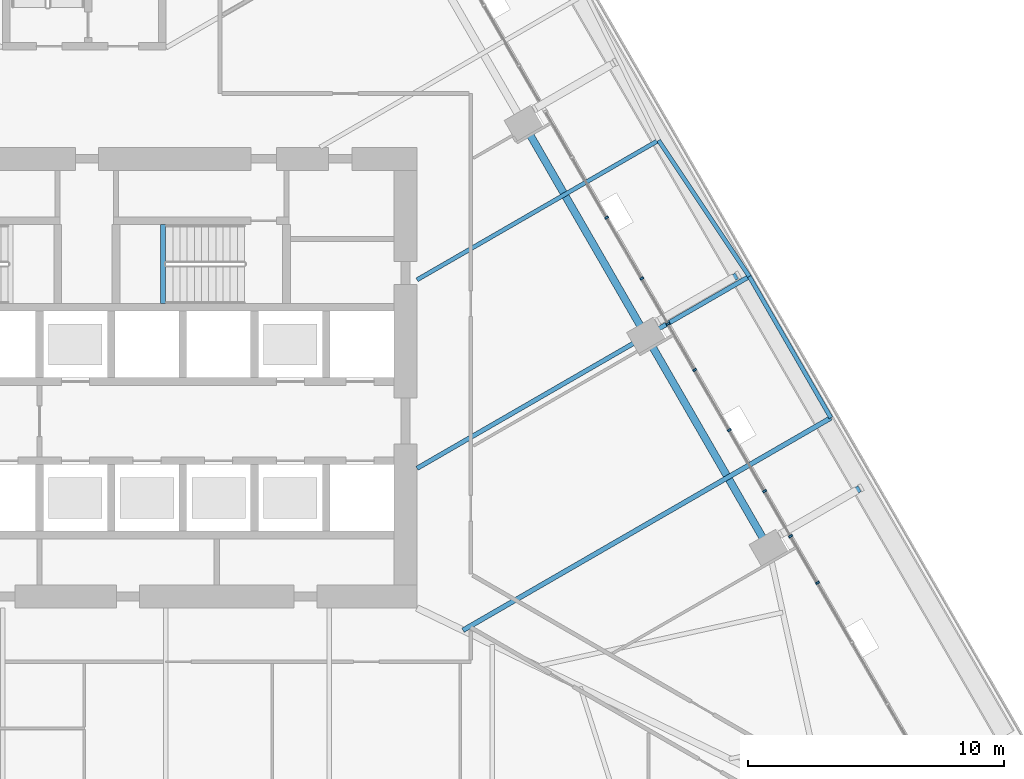
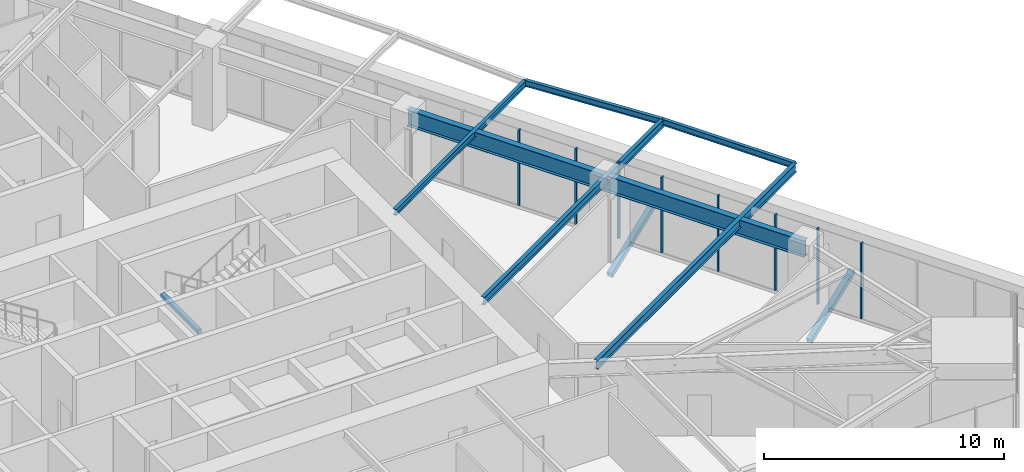
# One storey, part 5 of 29: 10 members, 7 beams, 1 element without a shape of its own.
"""IFC4 building model written with IfcOpenShell, lengths in metres."""

from ifc_helpers import new_model, si_unit, direction, frame, origin, origin_2d, place, context, subcontext, project, spatial, rectangle, hollow_rectangle, i_section, extrude, material, layer, layer_set, material_profile, profile_set, type_object, element, aggregate, save


model = new_model("IFC4")

# Units and contexts
model_context = context("Model", 3, precision=1e-05, world=origin(), true_north=direction((0.0, 1.0)))
body_context = subcontext(model_context, "Body", "Model", "MODEL_VIEW")
ifc_project = project(units=[si_unit("LENGTHUNIT", "METRE"), si_unit("AREAUNIT", "SQUARE_METRE"), si_unit("VOLUMEUNIT", "CUBIC_METRE"), si_unit("PLANEANGLEUNIT", "RADIAN"), si_unit("MASSUNIT", "GRAM", prefix="KILO")], contexts=[model_context])

# Site, building, storey
site_placement = place(None, origin())
site = spatial("IfcSite", under=ifc_project, at=site_placement, CompositionType="ELEMENT")
building_placement = place(site_placement, origin())
building = spatial("IfcBuilding", under=site, at=building_placement, Name="Firuza Gate Tower and Library", CompositionType="ELEMENT")
storey_placement = place(building_placement, frame((0.0, 0.0, 48.39990234375)))
storey = spatial("IfcBuildingStorey", under=building, at=storey_placement, Name="L10", CompositionType="ELEMENT", Elevation=48.39990234375)

# Curtain wall, members
ifc_material_1 = material(Name="Aluminium 6063-T6", Category="aluminium")
ifc_layer = layer(ifc_material_1, 0.14990234375)
ifc_layer_set = layer_set([ifc_layer], Name="Unitised curtain wall, offices")
curtain_wall_type = type_object("IfcCurtainWallType", Name="Unitised curtain wall, offices", PredefinedType="NOTDEFINED", material=ifc_layer_set)
curtain_wall_placement = place(storey_placement, origin())
curtain_wall = element("IfcCurtainWall", 1, at=curtain_wall_placement, inside=storey, type_object=curtain_wall_type, Name="CW1 L10 E face", PredefinedType="NOTDEFINED")
ifc_material_2 = material(Name="Aluminium 6063-T6", Category="aluminium")
ifc_material_profile_1 = material_profile(ifc_material_2, rectangle(XDim=0.14990234375, YDim=0.080078125, at=origin_2d()))
ifc_profile_set_1 = profile_set([ifc_material_profile_1], Name="Aluminium 6063-T6")
member_type_1 = type_object("IfcMemberType", Name="Curtain wall mullion 80x150", PredefinedType="MULLION", material=ifc_profile_set_1)
member_1_placement = place(storey_placement, frame((102.597412109375, 68.805419921875, 0.150146484375), z_axis=(0.0, 0.0, 1.0), x_axis=(-0.866025403784, -0.5, 0.0)))
member_1 = element("IfcMember", 2, at=member_1_placement, type_object=member_type_1, Name="Mullion", PredefinedType="MULLION", context=body_context, shape_type="SweptSolid", body=[
    extrude(rectangle(XDim=0.14990234375, YDim=0.080078125, at=origin_2d()), origin(), (0.0, 0.0, 1.0), 3.849853515625),
])
member_2_placement = place(storey_placement, frame((100.2021484375, 72.95458984375, 0.150146484375), z_axis=(0.0, 0.0, 1.0), x_axis=(-0.866025403784, -0.5, 0.0)))
member_2 = element("IfcMember", 3, at=member_2_placement, type_object=member_type_1, Name="Mullion", PredefinedType="MULLION", context=body_context, shape_type="SweptSolid", body=[
    extrude(rectangle(XDim=0.14990234375, YDim=0.080078125, at=origin_2d()), origin(), (0.0, 0.0, 1.0), 3.849853515625),
])
member_3_placement = place(storey_placement, frame((97.806640625, 77.103515625, 0.150146484375), z_axis=(0.0, 0.0, 1.0), x_axis=(-0.866025403784, -0.5, 0.0)))
member_3 = element("IfcMember", 4, at=member_3_placement, type_object=member_type_1, Name="Mullion", PredefinedType="MULLION", context=body_context, shape_type="SweptSolid", body=[
    extrude(rectangle(XDim=0.14990234375, YDim=0.080078125, at=origin_2d()), origin(), (0.0, 0.0, 1.0), 3.849853515625),
])
member_4_placement = place(storey_placement, frame((95.4111328125, 81.25244140625, 0.150146484375), z_axis=(0.0, 0.0, 1.0), x_axis=(-0.866025403784, -0.5, 0.0)))
member_4 = element("IfcMember", 5, at=member_4_placement, type_object=member_type_1, Name="Mullion", PredefinedType="MULLION", context=body_context, shape_type="SweptSolid", body=[
    extrude(rectangle(XDim=0.14990234375, YDim=0.080078125, at=origin_2d()), origin(), (0.0, 0.0, 1.0), 3.849853515625),
])
member_5_placement = place(storey_placement, frame((103.64892578125, 66.984375, 0.150146484375), z_axis=(0.0, 0.0, 1.0), x_axis=(-0.866025403784, -0.5, 0.0)))
member_5 = element("IfcMember", 6, at=member_5_placement, type_object=member_type_1, Name="Mullion", PredefinedType="MULLION", context=body_context, shape_type="SweptSolid", body=[
    extrude(rectangle(XDim=0.14990234375, YDim=0.080078125, at=origin_2d()), origin(), (0.0, 0.0, 1.0), 3.849853515625),
])
member_6_placement = place(storey_placement, frame((101.582763671875, 70.56298828125, 0.150146484375), z_axis=(0.0, 0.0, 1.0), x_axis=(-0.866025403784, -0.5, 0.0)))
member_6 = element("IfcMember", 7, at=member_6_placement, type_object=member_type_1, Name="Mullion", PredefinedType="MULLION", context=body_context, shape_type="SweptSolid", body=[
    extrude(rectangle(XDim=0.14990234375, YDim=0.080078125, at=origin_2d()), origin(), (0.0, 0.0, 1.0), 3.849853515625),
])
member_7_placement = place(storey_placement, frame((98.848876953125, 75.29833984375, 0.150146484375), z_axis=(0.0, 0.0, 1.0), x_axis=(-0.866025403784, -0.5, 0.0)))
member_7 = element("IfcMember", 8, at=member_7_placement, type_object=member_type_1, Name="Mullion", PredefinedType="MULLION", context=body_context, shape_type="SweptSolid", body=[
    extrude(rectangle(XDim=0.14990234375, YDim=0.080078125, at=origin_2d()), origin(), (0.0, 0.0, 1.0), 3.849853515625),
])
member_8_placement = place(storey_placement, frame((96.78271484375, 78.876953125, 0.150146484375), z_axis=(0.0, 0.0, 1.0), x_axis=(-0.866025403784, -0.5, 0.0)))
member_8 = element("IfcMember", 9, at=member_8_placement, type_object=member_type_1, Name="Mullion", PredefinedType="MULLION", context=body_context, shape_type="SweptSolid", body=[
    extrude(rectangle(XDim=0.14990234375, YDim=0.080078125, at=origin_2d()), origin(), (0.0, 0.0, 1.0), 3.849853515625),
])
aggregate(curtain_wall, [member_1, member_2, member_3, member_4, member_5, member_6, member_7, member_8])

# Members
ifc_material_3 = material(Name="Steel S355", Category="steel")
ifc_material_profile_2 = material_profile(ifc_material_3, hollow_rectangle(XDim=0.25390625, YDim=0.25390625, WallThickness=0.01171875, at=origin_2d()))
ifc_profile_set_2 = profile_set([ifc_material_profile_2], Name="Steel S355")
member_type_2 = type_object("IfcMemberType", Name="HSS254x254x13 Tray strut", PredefinedType="BRACE", material=ifc_profile_set_2)
for number, where, z_axis, x_axis, name in (
    (10, (102.220458984375, 68.891845703125, -1.669921875), (0.807140949077, 0.466018027999, 0.362423351763), (-0.500012057535, 0.866018442252, 0.0), "Tray strut L10 col:L09:E1"),
    (11, (97.42041015625, 77.205810546875, -1.669921875), (0.807140949077, 0.466018027999, 0.362423351763), (-0.500012057535, 0.866018442252, 0.0), "Tray strut L10 col:L09:E2"),
):
    element("IfcMember", number, at=place(storey_placement, frame(where, z_axis=z_axis, x_axis=x_axis)), inside=storey, type_object=member_type_2, Name=name, PredefinedType="BRACE", context=body_context, shape_type="SweptSolid", body=[
        extrude(hollow_rectangle(XDim=0.25390625, YDim=0.25390625, WallThickness=0.01171875, at=origin_2d()), origin(), (0.0, 0.0, 1.0), 3.862548828125),
    ])

# Beams
ifc_material_4 = material(Name="Concrete C35/45", Category="concrete")
ifc_material_profile_3 = material_profile(ifc_material_4, rectangle(XDim=0.199951171875, YDim=0.199951171875, at=origin_2d()))
ifc_profile_set_3 = profile_set([ifc_material_profile_3], Name="Concrete C35/45")
beam_type_1 = type_object("IfcBeamType", Name="Stair landing bearer 200x200", PredefinedType="BEAM", material=ifc_profile_set_3)
beam_1_placement = place(storey_placement, frame((78.080078125, 80.97998046875, 1.800048828125), z_axis=(0.0, -1.0, 0.0), x_axis=(1.0, 0.0, 0.0)))
element("IfcBeam", 12, at=beam_1_placement, inside=storey, type_object=beam_type_1, Name="Landing bearer L10 stair 2", PredefinedType="BEAM", context=body_context, shape_type="SweptSolid", body=[
    extrude(rectangle(XDim=0.199951171875, YDim=0.199951171875, at=origin_2d()), origin(), (0.0, 0.0, 1.0), 3.080078125),
])
ifc_material_5 = material(Name="Steel S355", Category="steel")
ifc_material_profile_4 = material_profile(ifc_material_5, i_section(OverallWidth=0.1650390625, OverallDepth=0.31005859375, WebThickness=0.005859375, FlangeThickness=0.009765625, at=origin_2d()))
ifc_profile_set_4 = profile_set([ifc_material_profile_4], Name="Steel S355")
beam_type_2 = type_object("IfcBeamType", Name="W310x39 Floor beam", PredefinedType="JOIST", material=ifc_profile_set_4)
beam_2_placement = place(storey_placement, frame((97.436767578125, 84.271484375, 3.84521484375), z_axis=(-0.866028507888, -0.499994623497, 0.0), x_axis=(0.499994623497, -0.866028507888, 0.0)))
element("IfcBeam", 13, at=beam_2_placement, inside=storey, type_object=beam_type_2, Name="Floor beam L10 s52", PredefinedType="JOIST", context=body_context, shape_type="SweptSolid", body=[
    extrude(i_section(OverallWidth=0.1650390625, OverallDepth=0.31005859375, WebThickness=0.005859375, FlangeThickness=0.009765625, at=origin_2d()), origin(), (0.0, 0.0, 1.0), 10.896484375),
])
beam_3_placement = place(storey_placement, frame((104.171142578125, 73.429931640625, 3.84521484375), z_axis=(-0.500029498212, 0.866008372314, 0.0), x_axis=(-0.866008372314, -0.500029498212, 0.0)))
element("IfcBeam", 14, at=beam_3_placement, inside=storey, type_object=beam_type_2, Name="Tray edge beam L10 s50-s51", PredefinedType="JOIST", context=body_context, shape_type="SweptSolid", body=[
    extrude(i_section(OverallWidth=0.1650390625, OverallDepth=0.31005859375, WebThickness=0.005859375, FlangeThickness=0.009765625, at=origin_2d()), origin(), (0.0, 0.0, 1.0), 6.3779296875),
])
beam_4_placement = place(storey_placement, frame((100.98193359375, 78.953369140625, 3.84521484375), z_axis=(-0.554673751148, 0.832067923783, 0.0), x_axis=(-0.832067923783, -0.554673751148, 0.0)))
element("IfcBeam", 15, at=beam_4_placement, inside=storey, type_object=beam_type_2, Name="Tray edge beam L10 s51-s52", PredefinedType="JOIST", context=body_context, shape_type="SweptSolid", body=[
    extrude(i_section(OverallWidth=0.1650390625, OverallDepth=0.31005859375, WebThickness=0.005859375, FlangeThickness=0.009765625, at=origin_2d()), origin(), (0.0, 0.0, 1.0), 6.391357421875),
])
ifc_material_6 = material(Name="Steel S355", Category="steel")
ifc_material_profile_5 = material_profile(ifc_material_6, i_section(OverallWidth=0.177978515625, OverallDepth=0.406982421875, WebThickness=0.0078125, FlangeThickness=0.0126953125, at=origin_2d()))
ifc_profile_set_5 = profile_set([ifc_material_profile_5], Name="Steel S355")
beam_type_3 = type_object("IfcBeamType", Name="W410x60 Floor beam", PredefinedType="JOIST", material=ifc_profile_set_5)
beam_5_placement = place(storey_placement, frame((100.98193359375, 78.953369140625, 3.796630859375), z_axis=(-0.866025567496, -0.499999716443, 0.0), x_axis=(0.499999716443, -0.866025567496, 0.0)))
element("IfcBeam", 16, at=beam_5_placement, inside=storey, type_object=beam_type_3, Name="Floor beam L10 s51", PredefinedType="JOIST", context=body_context, shape_type="SweptSolid", body=[
    extrude(i_section(OverallWidth=0.177978515625, OverallDepth=0.406982421875, WebThickness=0.0078125, FlangeThickness=0.0126953125, at=origin_2d()), origin(), (0.0, 0.0, 1.0), 14.990234375),
])
ifc_material_7 = material(Name="Steel S355", Category="steel")
ifc_material_profile_6 = material_profile(ifc_material_7, i_section(OverallWidth=0.18994140625, OverallDepth=0.45703125, WebThickness=0.009033203125, FlangeThickness=0.014404296875, at=origin_2d()))
ifc_profile_set_6 = profile_set([ifc_material_profile_6], Name="Steel S355")
beam_type_4 = type_object("IfcBeamType", Name="W460x74 Floor beam", PredefinedType="JOIST", material=ifc_profile_set_6)
beam_6_placement = place(storey_placement, frame((104.171142578125, 73.429931640625, 3.771484375), z_axis=(-0.866019508634, -0.500010210561, 0.0), x_axis=(0.500010210561, -0.866019508634, 0.0)))
element("IfcBeam", 17, at=beam_6_placement, inside=storey, type_object=beam_type_4, Name="Floor beam L10 s50", PredefinedType="JOIST", context=body_context, shape_type="SweptSolid", body=[
    extrude(i_section(OverallWidth=0.18994140625, OverallDepth=0.45703125, WebThickness=0.009033203125, FlangeThickness=0.014404296875, at=origin_2d()), origin(), (0.0, 0.0, 1.0), 16.597900390625),
])
ifc_material_8 = material(Name="Steel S355", Category="steel")
ifc_material_profile_7 = material_profile(ifc_material_8, i_section(OverallWidth=0.2919921875, OverallDepth=0.8349609375, WebThickness=0.013916015625, FlangeThickness=0.018798828125, at=origin_2d()))
ifc_profile_set_7 = profile_set([ifc_material_profile_7], Name="Steel S355")
beam_type_5 = type_object("IfcBeamType", Name="W840x176 Edge beam", PredefinedType="SPANDREL", material=ifc_profile_set_7)
beam_7_placement = place(storey_placement, frame((101.73876953125, 68.343017578125, 3.58251953125), z_axis=(-0.500008878765, 0.866020277567, 0.0), x_axis=(-0.866020277567, -0.500008878765, 0.0)))
element("IfcBeam", 18, at=beam_7_placement, inside=storey, type_object=beam_type_5, Name="Edge beam L10 e50", PredefinedType="SPANDREL", context=body_context, shape_type="SweptSolid", body=[
    extrude(i_section(OverallWidth=0.2919921875, OverallDepth=0.8349609375, WebThickness=0.013916015625, FlangeThickness=0.018798828125, at=origin_2d()), origin(), (0.0, 0.0, 1.0), 19.134521484375),
])

save(model, "model.ifc")
